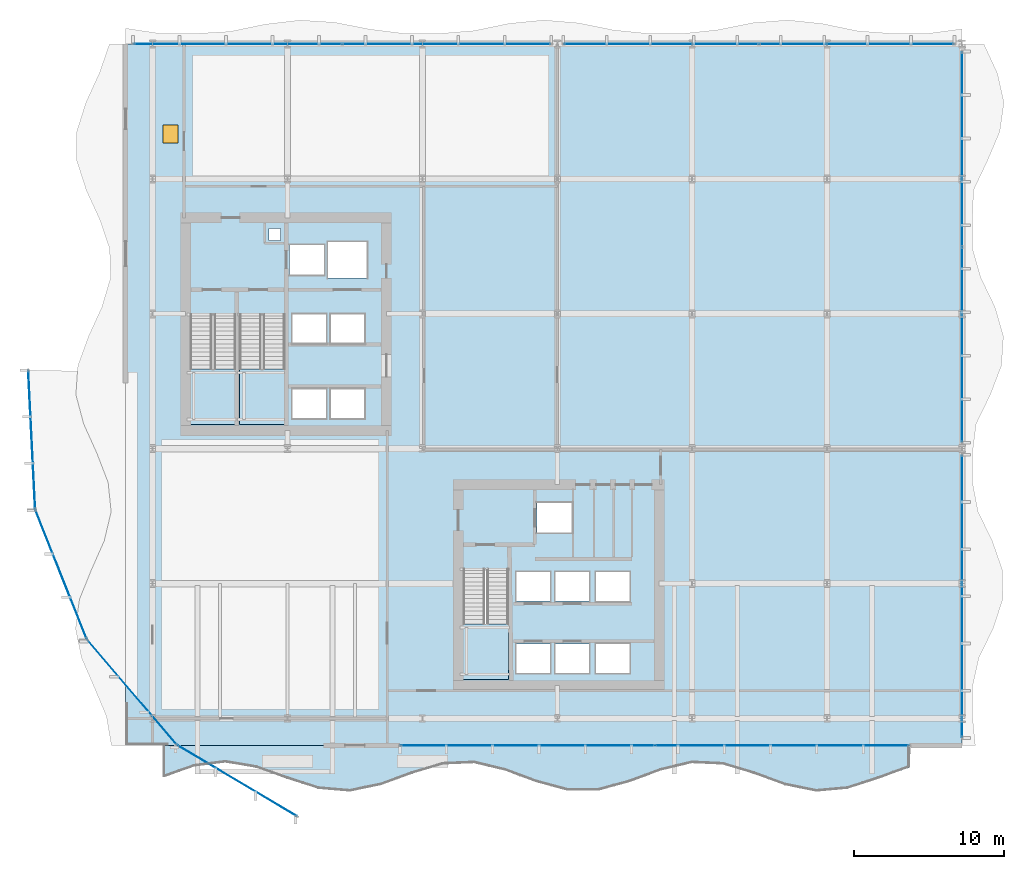
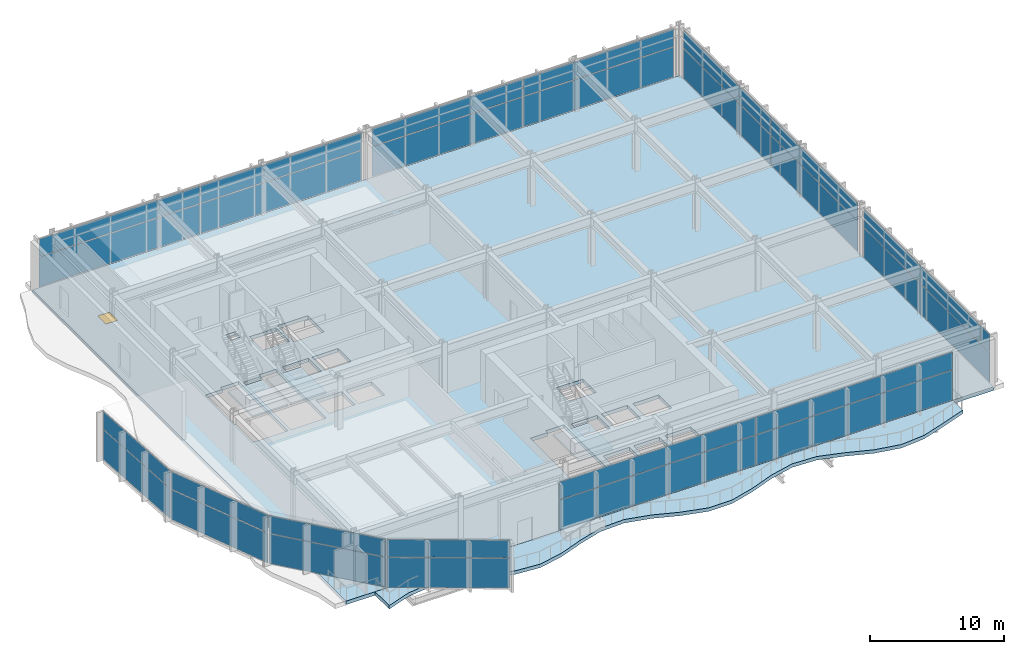
# One storey, part 19 of 29: 26 plates, 5 slabs, 1 door, 1 opening, 12 elements without a shape of their own.
"""IFC4 building model written with IfcOpenShell, lengths in metres."""

from ifc_helpers import new_model, si_unit, direction, frame, origin, origin_2d, place, context, subcontext, project, spatial, polyline, rectangle, outline, extrude, material, layer, layer_set, type_object, element, fill, aggregate, save


model = new_model("IFC4")

# Units and contexts
model_context = context("Model", 3, precision=1e-05, world=origin(), true_north=direction((0.0, 1.0)))
body_context = subcontext(model_context, "Body", "Model", "MODEL_VIEW")
ifc_project = project(units=[si_unit("LENGTHUNIT", "METRE"), si_unit("AREAUNIT", "SQUARE_METRE"), si_unit("VOLUMEUNIT", "CUBIC_METRE"), si_unit("PLANEANGLEUNIT", "RADIAN"), si_unit("MASSUNIT", "GRAM", prefix="KILO")], contexts=[model_context])

# Site, building, storey
site_placement = place(None, origin())
site = spatial("IfcSite", under=ifc_project, at=site_placement, CompositionType="ELEMENT")
building_placement = place(site_placement, origin())
building = spatial("IfcBuilding", under=site, at=building_placement, Name="Solvaryn Broadcast Tower", CompositionType="ELEMENT")
storey_placement = place(building_placement, frame((0.0, 0.0, 21.199951171875)))
storey = spatial("IfcBuildingStorey", under=building, at=storey_placement, Name="L04", CompositionType="ELEMENT", Elevation=21.199951171875)

# Curtain wall, plates
ifc_material_1 = material(Name="Aluminium and Terracotta Unitised Curtain Wall", Category="masonry")
ifc_layer_1 = layer(ifc_material_1, 0.219970703125)
ifc_layer_set_1 = layer_set([ifc_layer_1], Name="CW-SYS1-PODIUM")
curtain_wall_type = type_object("IfcCurtainWallType", Name="CW-SYS1-PODIUM", PredefinedType="NOTDEFINED", material=ifc_layer_set_1)
curtain_wall_1_placement = place(storey_placement, origin())
curtain_wall_1 = element("IfcCurtainWall", 1, at=curtain_wall_1_placement, inside=storey, type_object=curtain_wall_type, Name="L04 Podium Curtain Wall S1", PredefinedType="NOTDEFINED")
ifc_material_2 = material(Name="Low-Iron Insulated Vision Glass", Category="glass")
ifc_layer_2 = layer(ifc_material_2, 0.035888671875)
ifc_layer_set_2 = layer_set([ifc_layer_2], Name="CW-PNL-VISION")
plate_type = type_object("IfcPlateType", Name="CW-PNL-VISION", PredefinedType="CURTAIN_PANEL", material=ifc_layer_set_2)
plate_1_placement = place(storey_placement, frame((50.985107421875, 7.199951171875, 0.06005859375), z_axis=(0.0, 0.0, 1.0), x_axis=(-1.0, 0.0, 0.0)))
plate_1 = element("IfcPlate", 2, at=plate_1_placement, type_object=plate_type, Name="CWS1 panel 1.1", PredefinedType="CURTAIN_PANEL", context=body_context, shape_type="SweptSolid", body=[
    extrude(rectangle(XDim=16.909912109375, YDim=0.028076171875, at=origin_2d()), origin(), (0.0, 0.0, 1.0), 2.7099609375),
])
plate_2_placement = place(storey_placement, frame((50.985107421875, 7.199951171875, 2.830078125), z_axis=(0.0, 0.0, 1.0), x_axis=(-1.0, 0.0, 0.0)))
plate_2 = element("IfcPlate", 3, at=plate_2_placement, type_object=plate_type, Name="CWS1 panel 1.2", PredefinedType="CURTAIN_PANEL", context=body_context, shape_type="SweptSolid", body=[
    extrude(rectangle(XDim=16.909912109375, YDim=0.028076171875, at=origin_2d()), origin(), (0.0, 0.0, 1.0), 1.590087890625),
])
plate_3_placement = place(storey_placement, frame((34.014892578125, 7.199951171875, 0.06005859375), z_axis=(0.0, 0.0, 1.0), x_axis=(-1.0, 0.0, 0.0)))
plate_3 = element("IfcPlate", 4, at=plate_3_placement, type_object=plate_type, Name="CWS1 panel 2.1", PredefinedType="CURTAIN_PANEL", context=body_context, shape_type="SweptSolid", body=[
    extrude(rectangle(XDim=16.909912109375, YDim=0.028076171875, at=origin_2d()), origin(), (0.0, 0.0, 1.0), 2.7099609375),
])
plate_4_placement = place(storey_placement, frame((34.014892578125, 7.199951171875, 2.830078125), z_axis=(0.0, 0.0, 1.0), x_axis=(-1.0, 0.0, 0.0)))
plate_4 = element("IfcPlate", 5, at=plate_4_placement, type_object=plate_type, Name="CWS1 panel 2.2", PredefinedType="CURTAIN_PANEL", context=body_context, shape_type="SweptSolid", body=[
    extrude(rectangle(XDim=16.909912109375, YDim=0.028076171875, at=origin_2d()), origin(), (0.0, 0.0, 1.0), 1.590087890625),
])
aggregate(curtain_wall_1, [plate_1, plate_2, plate_3, plate_4])

curtain_wall_2_placement = place(storey_placement, origin())
curtain_wall_2 = element("IfcCurtainWall", 6, at=curtain_wall_2_placement, inside=storey, type_object=curtain_wall_type, Name="L04 Podium Curtain Wall N1", PredefinedType="NOTDEFINED")
plate_5_placement = place(storey_placement, frame((14.68994140625, 54.0, 0.06005859375), z_axis=(0.0, 0.0, 1.0), x_axis=(1.0, 0.0, 0.0)))
plate_5 = element("IfcPlate", 7, at=plate_5_placement, type_object=plate_type, Name="CWS1 panel 1.1", PredefinedType="CURTAIN_PANEL", context=body_context, shape_type="SweptSolid", body=[
    extrude(rectangle(XDim=13.860107421875, YDim=0.028076171875, at=origin_2d()), origin(), (0.0, 0.0, 1.0), 2.7099609375),
])
plate_6_placement = place(storey_placement, frame((14.68994140625, 54.0, 2.830078125), z_axis=(0.0, 0.0, 1.0), x_axis=(1.0, 0.0, 0.0)))
plate_6 = element("IfcPlate", 8, at=plate_6_placement, type_object=plate_type, Name="CWS1 panel 1.2", PredefinedType="CURTAIN_PANEL", context=body_context, shape_type="SweptSolid", body=[
    extrude(rectangle(XDim=13.860107421875, YDim=0.028076171875, at=origin_2d()), origin(), (0.0, 0.0, 1.0), 1.590087890625),
])
plate_7_placement = place(storey_placement, frame((28.610107421875, 54.0, 0.06005859375), z_axis=(0.0, 0.0, 1.0), x_axis=(1.0, 0.0, 0.0)))
plate_7 = element("IfcPlate", 9, at=plate_7_placement, type_object=plate_type, Name="CWS1 panel 2.1", PredefinedType="CURTAIN_PANEL", context=body_context, shape_type="SweptSolid", body=[
    extrude(rectangle(XDim=13.860107421875, YDim=0.028076171875, at=origin_2d()), origin(), (0.0, 0.0, 1.0), 2.7099609375),
])
plate_8_placement = place(storey_placement, frame((28.610107421875, 54.0, 2.830078125), z_axis=(0.0, 0.0, 1.0), x_axis=(1.0, 0.0, 0.0)))
plate_8 = element("IfcPlate", 10, at=plate_8_placement, type_object=plate_type, Name="CWS1 panel 2.2", PredefinedType="CURTAIN_PANEL", context=body_context, shape_type="SweptSolid", body=[
    extrude(rectangle(XDim=13.860107421875, YDim=0.028076171875, at=origin_2d()), origin(), (0.0, 0.0, 1.0), 1.590087890625),
])
aggregate(curtain_wall_2, [plate_5, plate_6, plate_7, plate_8])

curtain_wall_3_placement = place(storey_placement, origin())
curtain_wall_3 = element("IfcCurtainWall", 11, at=curtain_wall_3_placement, inside=storey, type_object=curtain_wall_type, Name="L04 Podium Curtain Wall N2", PredefinedType="NOTDEFINED")
plate_9_placement = place(storey_placement, frame((42.93994140625, 54.0, 0.06005859375), z_axis=(0.0, 0.0, 1.0), x_axis=(1.0, 0.0, 0.0)))
plate_9 = element("IfcPlate", 12, at=plate_9_placement, type_object=plate_type, Name="CWS1 panel 1.1", PredefinedType="CURTAIN_PANEL", context=body_context, shape_type="SweptSolid", body=[
    extrude(rectangle(XDim=12.9599609375, YDim=0.028076171875, at=origin_2d()), origin(), (0.0, 0.0, 1.0), 2.7099609375),
])
plate_10_placement = place(storey_placement, frame((42.93994140625, 54.0, 2.830078125), z_axis=(0.0, 0.0, 1.0), x_axis=(1.0, 0.0, 0.0)))
plate_10 = element("IfcPlate", 13, at=plate_10_placement, type_object=plate_type, Name="CWS1 panel 1.2", PredefinedType="CURTAIN_PANEL", context=body_context, shape_type="SweptSolid", body=[
    extrude(rectangle(XDim=12.9599609375, YDim=0.028076171875, at=origin_2d()), origin(), (0.0, 0.0, 1.0), 1.590087890625),
])
plate_11_placement = place(storey_placement, frame((55.9599609375, 54.0, 0.06005859375), z_axis=(0.0, 0.0, 1.0), x_axis=(1.0, 0.0, 0.0)))
plate_11 = element("IfcPlate", 14, at=plate_11_placement, type_object=plate_type, Name="CWS1 panel 2.1", PredefinedType="CURTAIN_PANEL", context=body_context, shape_type="SweptSolid", body=[
    extrude(rectangle(XDim=12.9599609375, YDim=0.028076171875, at=origin_2d()), origin(), (0.0, 0.0, 1.0), 2.7099609375),
])
plate_12_placement = place(storey_placement, frame((55.9599609375, 54.0, 2.830078125), z_axis=(0.0, 0.0, 1.0), x_axis=(1.0, 0.0, 0.0)))
plate_12 = element("IfcPlate", 15, at=plate_12_placement, type_object=plate_type, Name="CWS1 panel 2.2", PredefinedType="CURTAIN_PANEL", context=body_context, shape_type="SweptSolid", body=[
    extrude(rectangle(XDim=12.9599609375, YDim=0.028076171875, at=origin_2d()), origin(), (0.0, 0.0, 1.0), 1.590087890625),
])
aggregate(curtain_wall_3, [plate_9, plate_10, plate_11, plate_12])

curtain_wall_4_placement = place(storey_placement, origin())
curtain_wall_4 = element("IfcCurtainWall", 16, at=curtain_wall_4_placement, inside=storey, type_object=curtain_wall_type, Name="L04 Podium Curtain Wall E1", PredefinedType="NOTDEFINED")
plate_13_placement = place(storey_placement, frame((63.0, 46.9599609375, 0.06005859375), z_axis=(0.0, 0.0, 1.0), x_axis=(0.0, -1.0, 0.0)))
plate_13 = element("IfcPlate", 17, at=plate_13_placement, type_object=plate_type, Name="CWS1 panel 1.1", PredefinedType="CURTAIN_PANEL", context=body_context, shape_type="SweptSolid", body=[
    extrude(rectangle(XDim=12.9599609375, YDim=0.028076171875, at=origin_2d()), origin(), (0.0, 0.0, 1.0), 2.7099609375),
])
plate_14_placement = place(storey_placement, frame((63.0, 46.9599609375, 2.830078125), z_axis=(0.0, 0.0, 1.0), x_axis=(0.0, -1.0, 0.0)))
plate_14 = element("IfcPlate", 18, at=plate_14_placement, type_object=plate_type, Name="CWS1 panel 1.2", PredefinedType="CURTAIN_PANEL", context=body_context, shape_type="SweptSolid", body=[
    extrude(rectangle(XDim=12.9599609375, YDim=0.028076171875, at=origin_2d()), origin(), (0.0, 0.0, 1.0), 1.590087890625),
])
plate_15_placement = place(storey_placement, frame((63.0, 33.93994140625, 0.06005859375), z_axis=(0.0, 0.0, 1.0), x_axis=(0.0, -1.0, 0.0)))
plate_15 = element("IfcPlate", 19, at=plate_15_placement, type_object=plate_type, Name="CWS1 panel 2.1", PredefinedType="CURTAIN_PANEL", context=body_context, shape_type="SweptSolid", body=[
    extrude(rectangle(XDim=12.9599609375, YDim=0.028076171875, at=origin_2d()), origin(), (0.0, 0.0, 1.0), 2.7099609375),
])
plate_16_placement = place(storey_placement, frame((63.0, 33.93994140625, 2.830078125), z_axis=(0.0, 0.0, 1.0), x_axis=(0.0, -1.0, 0.0)))
plate_16 = element("IfcPlate", 20, at=plate_16_placement, type_object=plate_type, Name="CWS1 panel 2.2", PredefinedType="CURTAIN_PANEL", context=body_context, shape_type="SweptSolid", body=[
    extrude(rectangle(XDim=12.9599609375, YDim=0.028076171875, at=origin_2d()), origin(), (0.0, 0.0, 1.0), 1.590087890625),
])
aggregate(curtain_wall_4, [plate_13, plate_14, plate_15, plate_16])

curtain_wall_5_placement = place(storey_placement, origin())
curtain_wall_5 = element("IfcCurtainWall", 21, at=curtain_wall_5_placement, inside=storey, type_object=curtain_wall_type, Name="L04 Podium Curtain Wall E2", PredefinedType="NOTDEFINED")
plate_17_placement = place(storey_placement, frame((63.0, 17.14990234375, 0.06005859375), z_axis=(0.0, 0.0, 1.0), x_axis=(0.0, -1.0, 0.0)))
plate_17 = element("IfcPlate", 22, at=plate_17_placement, type_object=plate_type, Name="CWS1 panel 1.1", PredefinedType="CURTAIN_PANEL", context=body_context, shape_type="SweptSolid", body=[
    extrude(rectangle(XDim=18.780029296875, YDim=0.028076171875, at=origin_2d()), origin(), (0.0, 0.0, 1.0), 2.7099609375),
])
plate_18_placement = place(storey_placement, frame((63.0, 17.14990234375, 2.830078125), z_axis=(0.0, 0.0, 1.0), x_axis=(0.0, -1.0, 0.0)))
plate_18 = element("IfcPlate", 23, at=plate_18_placement, type_object=plate_type, Name="CWS1 panel 1.2", PredefinedType="CURTAIN_PANEL", context=body_context, shape_type="SweptSolid", body=[
    extrude(rectangle(XDim=18.780029296875, YDim=0.028076171875, at=origin_2d()), origin(), (0.0, 0.0, 1.0), 1.590087890625),
])
aggregate(curtain_wall_5, [plate_17, plate_18])

curtain_wall_6_placement = place(storey_placement, origin())
curtain_wall_6 = element("IfcCurtainWall", 24, at=curtain_wall_6_placement, inside=storey, type_object=curtain_wall_type, Name="L04 Podium Curtain Wall DC1", PredefinedType="NOTDEFINED")
plate_19_placement = place(storey_placement, frame((0.9375, 27.596435546875, 0.06005859375), z_axis=(0.0, 0.0, 1.0), x_axis=(0.049953690851, -0.998751535053, 0.0)))
plate_19 = element("IfcPlate", 25, at=plate_19_placement, type_object=plate_type, Name="CWS1 panel 1.1", PredefinedType="CURTAIN_PANEL", context=body_context, shape_type="SweptSolid", body=[
    extrude(rectangle(XDim=9.188720703125, YDim=0.028076171875, at=origin_2d()), origin(), (0.0, 0.0, 1.0), 2.7099609375),
])
plate_20_placement = place(storey_placement, frame((0.9375, 27.596435546875, 2.830078125), z_axis=(0.0, 0.0, 1.0), x_axis=(0.049953690851, -0.998751535053, 0.0)))
plate_20 = element("IfcPlate", 26, at=plate_20_placement, type_object=plate_type, Name="CWS1 panel 1.2", PredefinedType="CURTAIN_PANEL", context=body_context, shape_type="SweptSolid", body=[
    extrude(rectangle(XDim=9.188720703125, YDim=0.028076171875, at=origin_2d()), origin(), (0.0, 0.0, 1.0), 1.590087890625),
])
aggregate(curtain_wall_6, [plate_19, plate_20])

curtain_wall_7_placement = place(storey_placement, origin())
curtain_wall_7 = element("IfcCurtainWall", 27, at=curtain_wall_7_placement, inside=storey, type_object=curtain_wall_type, Name="L04 Podium Curtain Wall DC2", PredefinedType="NOTDEFINED")
plate_21_placement = place(storey_placement, frame((2.888916015625, 18.623046875, 0.06005859375), z_axis=(0.0, 0.0, 1.0), x_axis=(0.369352272833, -0.92928945897, 0.0)))
plate_21 = element("IfcPlate", 28, at=plate_21_placement, type_object=plate_type, Name="CWS1 panel 1.1", PredefinedType="CURTAIN_PANEL", context=body_context, shape_type="SweptSolid", body=[
    extrude(rectangle(XDim=9.188232421875, YDim=0.028076171875, at=origin_2d()), origin(), (0.0, 0.0, 1.0), 2.7099609375),
])
plate_22_placement = place(storey_placement, frame((2.888916015625, 18.623046875, 2.830078125), z_axis=(0.0, 0.0, 1.0), x_axis=(0.369352272833, -0.92928945897, 0.0)))
plate_22 = element("IfcPlate", 29, at=plate_22_placement, type_object=plate_type, Name="CWS1 panel 1.2", PredefinedType="CURTAIN_PANEL", context=body_context, shape_type="SweptSolid", body=[
    extrude(rectangle(XDim=9.188232421875, YDim=0.028076171875, at=origin_2d()), origin(), (0.0, 0.0, 1.0), 1.590087890625),
])
aggregate(curtain_wall_7, [plate_21, plate_22])

curtain_wall_8_placement = place(storey_placement, origin())
curtain_wall_8 = element("IfcCurtainWall", 30, at=curtain_wall_8_placement, inside=storey, type_object=curtain_wall_type, Name="L04 Podium Curtain Wall DC3", PredefinedType="NOTDEFINED")
plate_23_placement = place(storey_placement, frame((7.62939453125, 10.758544921875, 0.06005859375), z_axis=(0.0, 0.0, 1.0), x_axis=(0.649259348233, -0.760567090224, 0.0)))
plate_23 = element("IfcPlate", 31, at=plate_23_placement, type_object=plate_type, Name="CWS1 panel 1.1", PredefinedType="CURTAIN_PANEL", context=body_context, shape_type="SweptSolid", body=[
    extrude(rectangle(XDim=9.1875, YDim=0.028076171875, at=origin_2d()), origin(), (0.0, 0.0, 1.0), 2.7099609375),
])
plate_24_placement = place(storey_placement, frame((7.62939453125, 10.758544921875, 2.830078125), z_axis=(0.0, 0.0, 1.0), x_axis=(0.649259348233, -0.760567090224, 0.0)))
plate_24 = element("IfcPlate", 32, at=plate_24_placement, type_object=plate_type, Name="CWS1 panel 1.2", PredefinedType="CURTAIN_PANEL", context=body_context, shape_type="SweptSolid", body=[
    extrude(rectangle(XDim=9.1875, YDim=0.028076171875, at=origin_2d()), origin(), (0.0, 0.0, 1.0), 1.590087890625),
])
aggregate(curtain_wall_8, [plate_23, plate_24])

curtain_wall_9_placement = place(storey_placement, origin())
curtain_wall_9 = element("IfcCurtainWall", 33, at=curtain_wall_9_placement, inside=storey, type_object=curtain_wall_type, Name="L04 Podium Curtain Wall DC4", PredefinedType="NOTDEFINED")
plate_25_placement = place(storey_placement, frame((14.652587890625, 4.842529296875, 0.06005859375), z_axis=(0.0, 0.0, 1.0), x_axis=(0.859797259066, -0.510635558204, 0.0)))
plate_25 = element("IfcPlate", 34, at=plate_25_placement, type_object=plate_type, Name="CWS1 panel 1.1", PredefinedType="CURTAIN_PANEL", context=body_context, shape_type="SweptSolid", body=[
    extrude(rectangle(XDim=9.18798828125, YDim=0.028076171875, at=origin_2d()), origin(), (0.0, 0.0, 1.0), 2.7099609375),
])
plate_26_placement = place(storey_placement, frame((14.652587890625, 4.842529296875, 2.830078125), z_axis=(0.0, 0.0, 1.0), x_axis=(0.859797259066, -0.510635558204, 0.0)))
plate_26 = element("IfcPlate", 35, at=plate_26_placement, type_object=plate_type, Name="CWS1 panel 1.2", PredefinedType="CURTAIN_PANEL", context=body_context, shape_type="SweptSolid", body=[
    extrude(rectangle(XDim=9.18798828125, YDim=0.028076171875, at=origin_2d()), origin(), (0.0, 0.0, 1.0), 1.590087890625),
])
aggregate(curtain_wall_9, [plate_25, plate_26])

# Stair, slab
ifc_material_3 = material(Name="Concrete f'c 60 MPa", Category="concrete")
stair_type = type_object("IfcStairType", Name="ST-CORE", PredefinedType="HALF_TURN_STAIR", material=ifc_material_3)
stair_1_placement = place(storey_placement, origin())
stair_1 = element("IfcStair", 36, at=stair_1_placement, inside=storey, type_object=stair_type, Name="L04 ST1", PredefinedType="HALF_TURN_STAIR")
ifc_material_4 = material(Name="Concrete f'c 60 MPa", Category="concrete")
ifc_layer_3 = layer(ifc_material_4, 0.199951171875)
ifc_layer_set_3 = layer_set([ifc_layer_3], Name="SL-LANDING-200")
slab_type_1 = type_object("IfcSlabType", Name="SL-LANDING-200", PredefinedType="LANDING", material=ifc_layer_set_3)
slab_1_placement = place(storey_placement, frame((0.0, 0.0, 2.199951171875)))
slab_1 = element("IfcSlab", 37, at=slab_1_placement, type_object=slab_type_1, Name="ST1 landing 1", PredefinedType="LANDING", context=body_context, shape_type="SweptSolid", body=[
    extrude(outline(polyline([(11.52001953125, 32.320068359375), (11.52001953125, 28.60009765625), (14.550048828125, 28.60009765625), (14.550048828125, 32.320068359375), (11.52001953125, 32.320068359375)])), origin(), (0.0, 0.0, 1.0), 0.2001953125),
])
aggregate(stair_1, [slab_1])

stair_2_placement = place(storey_placement, origin())
stair_2 = element("IfcStair", 38, at=stair_2_placement, inside=storey, type_object=stair_type, Name="L04 ST2", PredefinedType="HALF_TURN_STAIR")
slab_2_placement = place(storey_placement, frame((0.0, 0.0, 2.199951171875)))
slab_2 = element("IfcSlab", 39, at=slab_2_placement, type_object=slab_type_1, Name="ST2 landing 1", PredefinedType="LANDING", context=body_context, shape_type="SweptSolid", body=[
    extrude(outline(polyline([(14.800048828125, 32.320068359375), (14.800048828125, 28.60009765625), (17.830078125, 28.60009765625), (17.830078125, 32.320068359375), (14.800048828125, 32.320068359375)])), origin(), (0.0, 0.0, 1.0), 0.2001953125),
])
aggregate(stair_2, [slab_2])

stair_3_placement = place(storey_placement, origin())
stair_3 = element("IfcStair", 40, at=stair_3_placement, inside=storey, type_object=stair_type, Name="L04 ST3", PredefinedType="HALF_TURN_STAIR")
slab_3_placement = place(storey_placement, frame((0.0, 0.0, 2.199951171875)))
slab_3 = element("IfcSlab", 41, at=slab_3_placement, type_object=slab_type_1, Name="ST3 landing 1", PredefinedType="LANDING", context=body_context, shape_type="SweptSolid", body=[
    extrude(outline(polyline([(29.719970703125, 15.320068359375), (29.719970703125, 11.60009765625), (32.75, 11.60009765625), (32.75, 15.320068359375), (29.719970703125, 15.320068359375)])), origin(), (0.0, 0.0, 1.0), 0.2001953125),
])
aggregate(stair_3, [slab_3])

# Slab, opening, door
ifc_material_5 = material(Name="Concrete f'c 60 MPa", Category="concrete")
ifc_layer_4 = layer(ifc_material_5, 0.320068359375)
ifc_layer_set_4 = layer_set([ifc_layer_4], Name="SL-POD-320")
slab_type_2 = type_object("IfcSlabType", Name="SL-POD-320", PredefinedType="FLOOR", material=ifc_layer_set_4)
slab_4_placement = place(storey_placement, frame((0.0, 0.0, -0.320068359375)))
slab_4 = element("IfcSlab", 42, at=slab_4_placement, inside=storey, type_object=slab_type_2, Name="L04 Structural Floor Slab", PredefinedType="FLOOR", context=body_context, shape_type="SweptSolid", body=[
    extrude(outline(polyline([(7.199951171875, 7.199951171875), (63.0, 7.199951171875), (63.0, 54.0), (7.199951171875, 54.0), (7.199951171875, 7.199951171875)]), holes=[polyline([(11.52001953125, 28.60009765625), (14.550048828125, 28.60009765625), (14.550048828125, 35.9599609375), (12.97998046875, 35.9599609375), (12.97998046875, 35.679931640625), (11.52001953125, 35.679931640625), (11.52001953125, 28.60009765625)]), polyline([(14.800048828125, 28.60009765625), (17.830078125, 28.60009765625), (17.830078125, 35.9599609375), (16.260009765625, 35.9599609375), (16.260009765625, 35.679931640625), (14.800048828125, 35.679931640625), (14.800048828125, 28.60009765625)]), polyline([(29.719970703125, 11.60009765625), (32.75, 11.60009765625), (32.75, 18.9599609375), (31.179931640625, 18.9599609375), (31.179931640625, 18.679931640625), (29.719970703125, 18.679931640625), (29.719970703125, 11.60009765625)]), polyline([(18.14990234375, 38.60009765625), (20.449951171875, 38.60009765625), (20.449951171875, 40.60009765625), (18.14990234375, 40.60009765625), (18.14990234375, 38.60009765625)]), polyline([(20.699951171875, 38.39990234375), (23.300048828125, 38.39990234375), (23.300048828125, 40.800048828125), (20.699951171875, 40.800048828125), (20.699951171875, 38.39990234375)]), polyline([(18.324951171875, 29.02490234375), (20.574951171875, 29.02490234375), (20.574951171875, 30.97509765625), (18.324951171875, 30.97509765625), (18.324951171875, 29.02490234375)]), polyline([(20.875, 29.02490234375), (23.125, 29.02490234375), (23.125, 30.97509765625), (20.875, 30.97509765625), (20.875, 29.02490234375)]), polyline([(18.324951171875, 34.02490234375), (20.574951171875, 34.02490234375), (20.574951171875, 35.97509765625), (18.324951171875, 35.97509765625), (18.324951171875, 34.02490234375)]), polyline([(20.875, 34.02490234375), (23.125, 34.02490234375), (23.125, 35.97509765625), (20.875, 35.97509765625), (20.875, 34.02490234375)]), polyline([(34.64990234375, 21.39990234375), (36.949951171875, 21.39990234375), (36.949951171875, 23.39990234375), (34.64990234375, 23.39990234375), (34.64990234375, 21.39990234375)]), polyline([(33.27490234375, 12.02490234375), (35.52490234375, 12.02490234375), (35.52490234375, 13.97509765625), (33.27490234375, 13.97509765625), (33.27490234375, 12.02490234375)]), polyline([(35.875, 12.02490234375), (38.125, 12.02490234375), (38.125, 13.97509765625), (35.875, 13.97509765625), (35.875, 12.02490234375)]), polyline([(33.27490234375, 16.824951171875), (35.52490234375, 16.824951171875), (35.52490234375, 18.77490234375), (33.27490234375, 18.77490234375), (33.27490234375, 16.824951171875)]), polyline([(35.875, 16.824951171875), (38.125, 16.824951171875), (38.125, 18.77490234375), (35.875, 18.77490234375), (35.875, 16.824951171875)]), polyline([(38.574951171875, 12.02490234375), (40.824951171875, 12.02490234375), (40.824951171875, 13.97509765625), (38.574951171875, 13.97509765625), (38.574951171875, 12.02490234375)]), polyline([(38.574951171875, 16.824951171875), (40.824951171875, 16.824951171875), (40.824951171875, 18.77490234375), (38.574951171875, 18.77490234375), (38.574951171875, 16.824951171875)]), polyline([(16.75, 40.89990234375), (17.550048828125, 40.89990234375), (17.550048828125, 41.699951171875), (16.75, 41.699951171875), (16.75, 40.89990234375)])]), origin(), (0.0, 0.0, 1.0), 0.320068359375),
])
opening_placement = place(slab_4_placement, frame((10.199951171875, 48.0, 0.0)))
opening = element("IfcOpeningElement", 43, at=opening_placement, cuts=slab_4, Name="Opening HT01", PredefinedType="OPENING", context=body_context, shape_type="SweptSolid", body=[
    extrude(rectangle(XDim=1.0, YDim=1.199951171875, at=origin_2d()), origin(), (0.0, 0.0, 1.0), 0.320068359375),
])
ifc_material_6 = material(Name="Insulated Architectural Aluminium and Glazing", Category="aluminium")
door_type = type_object("IfcDoorType", Name="ED-HATCH-1000X1200", OperationType="NOTDEFINED", PredefinedType="TRAPDOOR", material=ifc_material_6)
door_placement = place(opening_placement, frame((0.0, 0.0, 0.27001953125)))
door = element("IfcDoor", 44, at=door_placement, inside=storey, type_object=door_type, Name="L04 Acoustic Plenum Access Trapdoor", OperationType="SINGLE_SWING_LEFT", OverallHeight=1.199951171875, OverallWidth=1.0, PredefinedType="TRAPDOOR", context=body_context, shape_type="SweptSolid", body=[
    extrude(rectangle(XDim=1.0, YDim=1.199951171875, at=origin_2d()), origin(), (0.0, 0.0, 1.0), 0.050048828125),
])
fill(opening, door)

# Slab
ifc_material_7 = material(Name="Concrete f'c 60 MPa", Category="concrete")
ifc_layer_5 = layer(ifc_material_7, 0.260009765625)
ifc_layer_set_5 = layer_set([ifc_layer_5], Name="SL-TER-260")
slab_type_3 = type_object("IfcSlabType", Name="SL-TER-260", PredefinedType="FLOOR", material=ifc_layer_set_5)
slab_5_placement = place(storey_placement, frame((0.0, 0.0, -0.320068359375)))
element("IfcSlab", 45, at=slab_5_placement, inside=storey, type_object=slab_type_3, Name="L04 Wave-Edged Terrace Slab TS04S", PredefinedType="FLOOR", context=body_context, shape_type="SweptSolid", body=[
    extrude(outline(polyline([(9.699951171875, 5.10009765625), (11.77490234375, 5.80908203125), (13.85009765625, 6.072998046875), (15.925048828125, 5.72607421875), (18.0, 4.985107421875), (20.074951171875, 4.31689453125), (22.14990234375, 4.139892578125), (24.22509765625, 4.56591796875), (26.300048828125, 5.327880859375), (28.375, 5.946044921875), (30.449951171875, 6.032958984375), (32.52490234375, 5.533935546875), (34.60009765625, 4.762939453125), (36.675048828125, 4.202880859375), (38.75, 4.20703125), (40.824951171875, 4.77197265625), (42.89990234375, 5.54296875), (44.97509765625, 6.035888671875), (47.050048828125, 5.94091796875), (49.125, 5.318115234375), (51.199951171875, 4.55810546875), (53.27490234375, 4.138916015625), (55.35009765625, 4.322998046875), (57.425048828125, 4.9951171875), (59.5, 5.73291015625), (59.5, 7.199951171875), (57.425048828125, 7.199951171875), (55.35009765625, 7.199951171875), (53.27490234375, 7.199951171875), (51.199951171875, 7.199951171875), (49.125, 7.199951171875), (47.050048828125, 7.199951171875), (44.97509765625, 7.199951171875), (42.89990234375, 7.199951171875), (40.824951171875, 7.199951171875), (38.75, 7.199951171875), (36.675048828125, 7.199951171875), (34.60009765625, 7.199951171875), (32.52490234375, 7.199951171875), (30.449951171875, 7.199951171875), (28.375, 7.199951171875), (26.300048828125, 7.199951171875), (24.22509765625, 7.199951171875), (22.14990234375, 7.199951171875), (20.074951171875, 7.199951171875), (18.0, 7.199951171875), (15.925048828125, 7.199951171875), (13.85009765625, 7.199951171875), (11.77490234375, 7.199951171875), (9.699951171875, 7.199951171875), (9.699951171875, 5.10009765625)])), origin(), (0.0, 0.0, 1.0), 0.320068359375),
])

save(model, "model.ifc")
